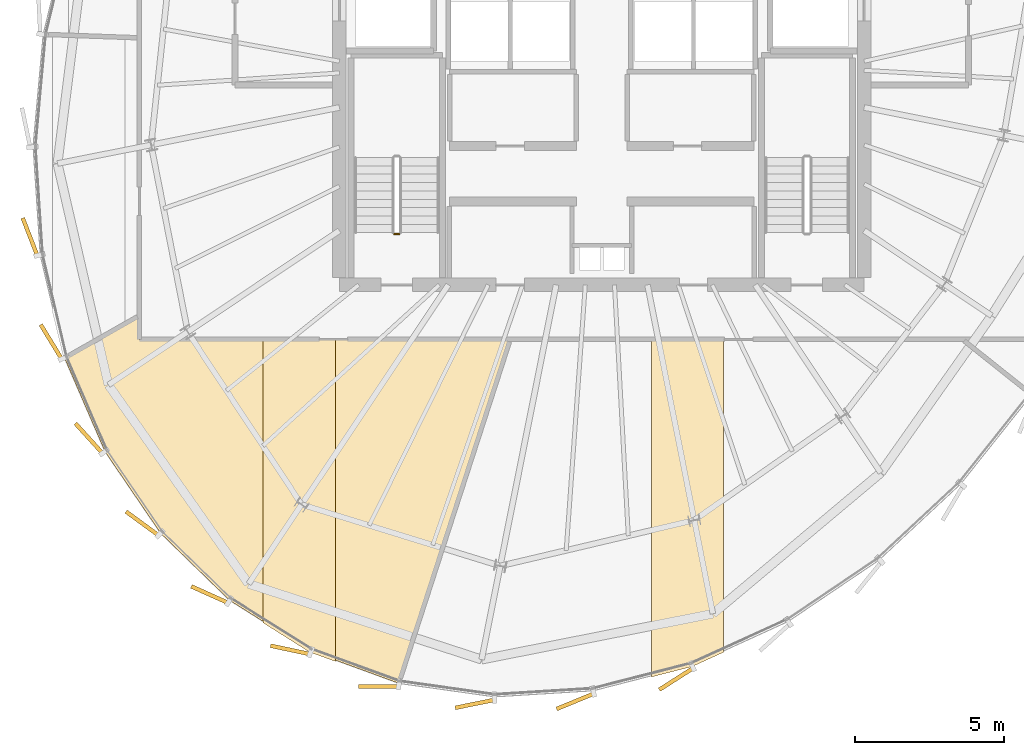
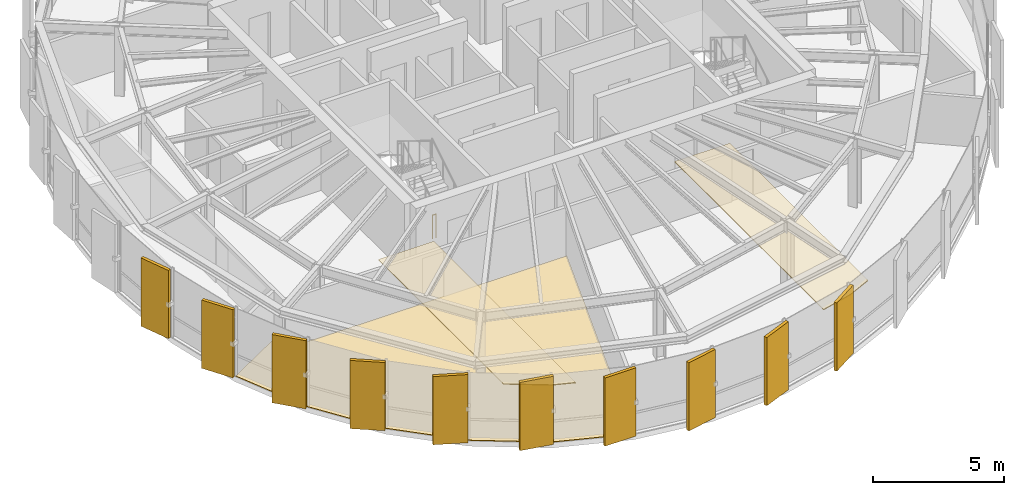
# One storey, part 28 of 31: 13 coverings, 1 railing.
"""IFC4 building model written with IfcOpenShell, lengths in metres."""

from ifc_helpers import new_model, si_unit, direction, frame, origin, origin_2d, place, context, subcontext, project, spatial, polyline, rectangle, circle, outline, extrude, source, transform, mapped, material, layer, layer_set, type_object, element, save


model = new_model("IFC4")

# Units and contexts
model_context = context("Model", 3, precision=1e-05, world=origin(), true_north=direction((0.0, 1.0)))
body_context = subcontext(model_context, "Body", "Model", "MODEL_VIEW")
ifc_project = project(units=[si_unit("LENGTHUNIT", "METRE"), si_unit("AREAUNIT", "SQUARE_METRE"), si_unit("VOLUMEUNIT", "CUBIC_METRE"), si_unit("PLANEANGLEUNIT", "RADIAN"), si_unit("MASSUNIT", "GRAM", prefix="KILO"), si_unit("THERMODYNAMICTEMPERATUREUNIT", "KELVIN")], contexts=[model_context])

# Site, building, storey
site_placement = place(None, origin())
site = spatial("IfcSite", under=ifc_project, at=site_placement, CompositionType="ELEMENT")
building_placement = place(site_placement, origin())
building = spatial("IfcBuilding", under=site, at=building_placement, Name="Kethvar Cultural Tower", CompositionType="ELEMENT")
storey_placement = place(building_placement, frame((0.0, 0.0, 290.5)))
storey = spatial("IfcBuildingStorey", under=building, at=storey_placement, Name="L77", CompositionType="ELEMENT", Elevation=290.5)

# Coverings
ifc_material_1 = material(Name="Acoustic Mineral Fibre Ceiling")
ifc_layer_1 = layer(ifc_material_1, 0.0400390625, Name="Acoustic Mineral Fibre Ceiling")
ifc_layer_set_1 = layer_set([ifc_layer_1], Name="Acoustic Mineral Fibre Ceiling (40 mm)")
covering_type_1 = type_object("IfcCoveringType", Name="CV-ACOUSTIC-CEIL", PredefinedType="CEILING", material=ifc_layer_set_1)
covering_1_placement = place(storey_placement, frame((0.0, 0.0, 2.669921875)))
element("IfcCovering", 1, at=covering_1_placement, inside=storey, type_object=covering_type_1, Name="L77 Room 01 Acoustic Ceiling Panel", PredefinedType="CEILING", context=body_context, shape_type="SweptSolid", body=[
    extrude(outline(polyline([(36.994873046875, 7.78515625), (35.436279296875, 8.76611328125), (35.436279296875, 18.2890625), (37.866455078125, 18.2890625), (37.866455078125, 7.4677734375), (36.994873046875, 7.78515625)])), origin(), (0.0, 0.0, 1.0), 0.0400390625),
])
covering_2_placement = place(storey_placement, frame((0.0, 0.0, 2.669921875)))
element("IfcCovering", 2, at=covering_2_placement, inside=storey, type_object=covering_type_1, Name="L77 Room 02 Acoustic Ceiling Panel", PredefinedType="CEILING", context=body_context, shape_type="SweptSolid", body=[
    extrude(outline(polyline([(49.841064453125, 7.30126953125), (48.458984375, 6.946044921875), (48.458984375, 18.2890625), (50.88916015625, 18.2890625), (50.88916015625, 7.7802734375), (49.841064453125, 7.30126953125)])), origin(), (0.0, 0.0, 1.0), 0.0400390625),
])
ifc_material_2 = material(Name="Architectural Oak Timber", Category="wood")
ifc_layer_2 = layer(ifc_material_2, 0.02490234375, Name="Architectural Oak Timber", Category="wood")
ifc_layer_set_2 = layer_set([ifc_layer_2], Name="Architectural Oak Timber (25 mm)")
covering_type_2 = type_object("IfcCoveringType", Name="CV-OAK-FLOOR", PredefinedType="FLOORING", material=ifc_layer_set_2)
covering_3_placement = place(storey_placement, origin())
element("IfcCovering", 3, at=covering_3_placement, inside=storey, type_object=covering_type_2, Name="L77 Room 01 Floor Finish", PredefinedType="FLOORING", context=body_context, shape_type="SweptSolid", body=[
    extrude(outline(polyline([(37.012451171875, 7.8212890625), (34.318359375, 9.517333984375), (32.003173828125, 11.768798828125), (30.13720703125, 14.50732421875), (28.783935546875, 17.635009765625), (31.27001953125, 19.034423828125), (31.2880859375, 18.2490234375), (43.69873046875, 18.2490234375), (39.986328125, 6.73828125), (37.012451171875, 7.8212890625)])), origin(), (0.0, 0.0, 1.0), 0.02490234375),
])

# Railing
ifc_material_3 = material(Name="Steel S355J2", Category="steel")
railing_type = type_object("IfcRailingType", Name="RL-STAIR-GUARD", PredefinedType="BALUSTRADE", material=ifc_material_3)
railing_placement = place(storey_placement, frame((40.0, 21.800048828125, 0.0)))
element("IfcRailing", 4, at=railing_placement, inside=storey, type_object=railing_type, Name="L77 ST-01 stair guard 4", PredefinedType="BALUSTRADE", context=body_context, shape_type="SweptSolid", body=[
    extrude(circle(Radius=0.02392578125, at=origin_2d()), frame((0.0, 0.0, 1.09619140625), z_axis=(-1.0, 0.0, 0.0), x_axis=(0.0, -1.0, 0.0)), (0.0, 0.0, 1.0), 0.159912109375),
    extrude(circle(Radius=0.02099609375, at=origin_2d()), origin(), (0.0, 0.0, 1.0), 1.072021484375),
    extrude(circle(Radius=0.02099609375, at=origin_2d()), frame((-0.159912109375, 0.0, 0.0)), (0.0, 0.0, 1.0), 1.072021484375),
])

# Coverings
ifc_material_4 = material(Name="Extruded Architectural Terracotta", Category="masonry")
ifc_layer_3 = layer(ifc_material_4, 0.135009765625, Name="Extruded Architectural Terracotta", Category="masonry")
ifc_layer_set_3 = layer_set([ifc_layer_3], Name="Extruded Architectural Terracotta (135 mm)")
covering_type_3 = type_object("IfcCoveringType", Name="Terracotta Facade Fin FIN-03", PredefinedType="CLADDING", material=ifc_layer_set_3)
shared_shape = source(origin(), body_context, "Body", "SweptSolid", [
    extrude(rectangle(XDim=1.35009765625, YDim=0.135009765625, at=origin_2d()), origin(), (0.0, 0.0, 1.0), 3.169921875),
])
for number, where, z_axis, x_axis, name in (
    (5, (27.623046875, 21.708984375, 0.02001953125), (0.0, 0.0, 1.0), (-0.362275366705, 0.932071112458, 0.0), "L77 Vertical Terracotta Fin 3.2"),
    (6, (28.333251953125, 18.18798828125, 0.02001953125), (0.0, 0.0, 1.0), (-0.521009631841, 0.853550797275, 0.0), "L77 Vertical Terracotta Fin 3.3"),
    (7, (29.599609375, 14.951904296875, 0.02001953125), (0.0, 0.0, 1.0), (-0.672625151337, 0.739983382104, 0.0), "L77 Vertical Terracotta Fin 3.4"),
    (8, (31.38720703125, 12.09716796875, 0.02001953125), (0.0, 0.0, 1.0), (-0.806960312144, 0.59060566762, 0.0), "L77 Vertical Terracotta Fin 3.5"),
    (9, (33.647705078125, 9.71044921875, 0.02001953125), (0.0, 0.0, 1.0), (-0.912191647346, 0.409763832607, 0.0), "L77 Vertical Terracotta Fin 3.6"),
    (10, (36.349609375, 7.856201171875, 0.02001953125), (0.0, 0.0, 1.0), (-0.9781112984, 0.208082406612, 0.0), "L77 Vertical Terracotta Fin 4.1"),
    (11, (39.31298828125, 6.63330078125, 0.02001953125), (0.0, 0.0, 1.0), (-1.0, 0.0, 0.0), "L77 Vertical Terracotta Fin 4.2"),
    (12, (42.544677734375, 6.047607421875, 0.02001953125), (0.0, 0.0, 1.0), (-0.979820181493, -0.19988099444, 0.0), "L77 Vertical Terracotta Fin 4.3"),
    (13, (45.908447265625, 6.132080078125, 0.02001953125), (0.0, 0.0, 1.0), (-0.924546033612, -0.38107037635, 0.0), "L77 Vertical Terracotta Fin 4.4"),
    (14, (49.296875, 6.883544921875, 0.02001953125), (0.0, 0.0, 1.0), (-0.842922242371, -0.538035401546, 0.0), "L77 Vertical Terracotta Fin 4.5"),
):
    element("IfcCovering", number, at=place(storey_placement, frame(where, z_axis=z_axis, x_axis=x_axis)), inside=storey, type_object=covering_type_3, Name=name, PredefinedType="CLADDING", context=body_context, shape_type="MappedRepresentation", body=[
        mapped(shared_shape, transform((0.0, 0.0, 0.0), scale=1.0)),
    ])

save(model, "model.ifc")
